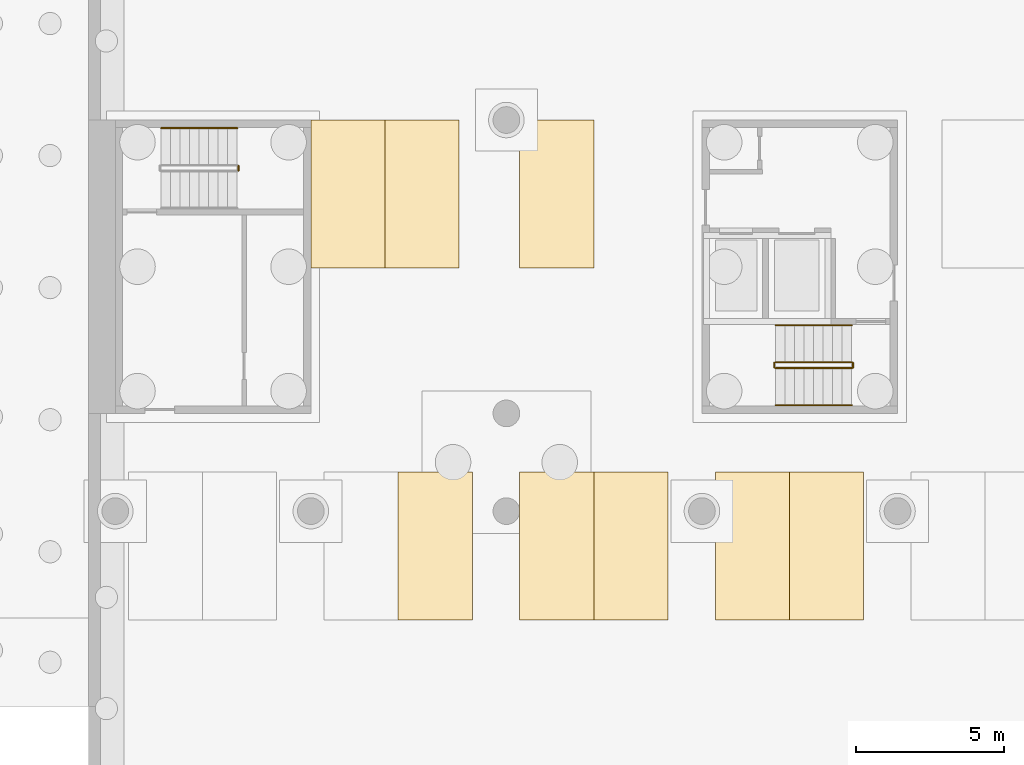
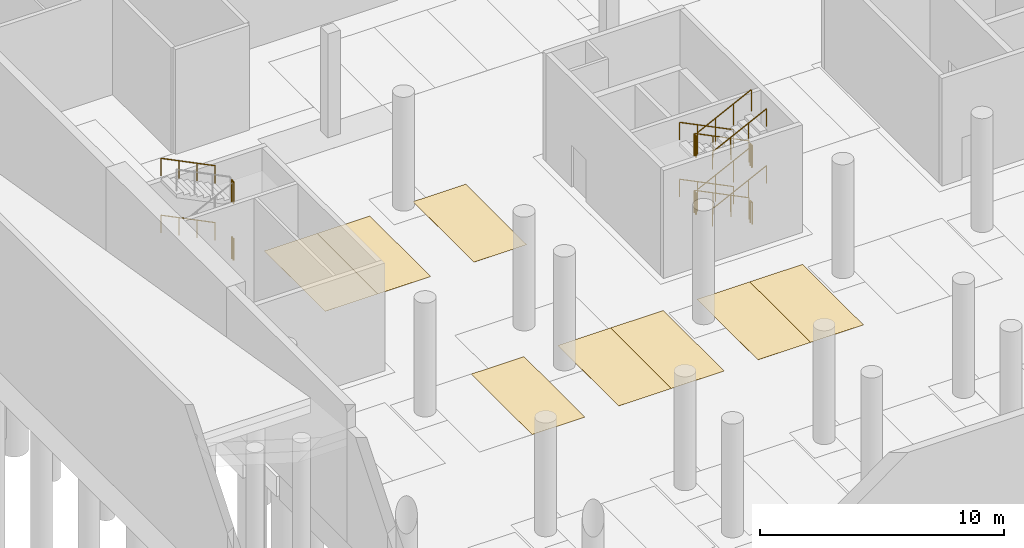
# One storey, part 23 of 38: 16 railings, 8 coverings.
"""IFC4 building model written with IfcOpenShell, lengths in metres."""

import ifcopenshell
import ifcopenshell.guid

model = None  # the IFC model being written
_history = None  # IfcOwnerHistory: only IFC2X3 demands one
_inside = {}  # id of a spatial element -> (the spatial element, [elements in it])
_under = {}  # id of a project, library or spatial element -> (it, [spatial elements below it])
_declared = {}  # id of a project -> (the project, [libraries it declares])
_typed = {}  # id of a type object -> (the type object, [elements of that type])
_made_of = {}  # id of a material, layer set ... -> (it, [elements and type objects made of it])


def new_model(schema):
    """Start an empty IFC model of exactly this schema.

    Asked for "IFC4X3", IfcOpenShell would pick the latest addendum, in which some entities
    have other attributes; the version numbers below select the first issue.
    IFC2X3 requires an IfcOwnerHistory on every rooted entity: one is made here for all.
    """
    global model, _history
    if schema == "IFC4X3":
        model = ifcopenshell.file(schema_version=(4, 3, 0, 0))
    else:
        model = ifcopenshell.file(schema=schema)
    _inside.clear()
    _under.clear()
    _declared.clear()
    _typed.clear()
    _made_of.clear()
    _history = None
    if model.schema == "IFC2X3":
        org = make("IfcOrganization", Name="unknown")
        user = make(
            "IfcPersonAndOrganization",
            ThePerson=make("IfcPerson", FamilyName="unknown"),
            TheOrganization=org,
        )
        app = make(
            "IfcApplication",
            ApplicationDeveloper=org,
            Version="unknown",
            ApplicationFullName="unknown",
            ApplicationIdentifier="unknown",
        )
        _history = make(
            "IfcOwnerHistory",
            OwningUser=user,
            OwningApplication=app,
            ChangeAction="ADDED",
            CreationDate=0,
        )
    return model


def make(cls, **values):
    """One entity of the class cls with the attributes given. An attribute that is None is left unset."""
    return model.create_entity(
        cls, **{name: value for name, value in values.items() if value is not None}
    )


def rooted(cls, **values):
    """An entity with a GlobalId (a new one), such as an element, a storey or a relation."""
    return make(cls, GlobalId=ifcopenshell.guid.new(), OwnerHistory=_history, **values)


def si_unit(unit_type, name, prefix=None):
    """IfcSIUnit, for example si_unit("LENGTHUNIT", "METRE", prefix="MILLI")."""
    return make("IfcSIUnit", UnitType=unit_type, Prefix=prefix, Name=name)


def assignment(units):
    """IfcUnitAssignment: the units of a project."""
    return None if units is None else make("IfcUnitAssignment", Units=units)


def point(xyz):
    """IfcCartesianPoint."""
    return None if xyz is None else make("IfcCartesianPoint", Coordinates=xyz)


def direction(xyz):
    """IfcDirection."""
    return None if xyz is None else make("IfcDirection", DirectionRatios=xyz)


def frame(location, z_axis=None, x_axis=None):
    """IfcAxis2Placement3D, a coordinate frame: its origin and axes. An axis left out is left unset."""
    return make(
        "IfcAxis2Placement3D",
        Location=point(location),
        Axis=direction(z_axis),
        RefDirection=direction(x_axis),
    )


def frame_2d(location, x_axis=None):
    """IfcAxis2Placement2D, a coordinate frame in the plane: its origin and x axis."""
    return make(
        "IfcAxis2Placement2D", Location=point(location), RefDirection=direction(x_axis)
    )


def origin():
    """The frame at (0, 0, 0) with its axes left unset."""
    return frame((0.0, 0.0, 0.0))


def origin_2d():
    """The frame at (0, 0) in the plane with its x axis left unset."""
    return frame_2d((0.0, 0.0))


def place(relative_to, where):
    """IfcLocalPlacement: puts the frame where relative to a parent placement (None: the world)."""
    return make(
        "IfcLocalPlacement", PlacementRelTo=relative_to, RelativePlacement=where
    )


def context(
    kind, dimensions, precision=None, world=None, true_north=None, identifier=None
):
    """IfcGeometricRepresentationContext, for example the 3D "Model" context."""
    return make(
        "IfcGeometricRepresentationContext",
        ContextIdentifier=identifier,
        ContextType=kind,
        CoordinateSpaceDimension=dimensions,
        Precision=precision,
        WorldCoordinateSystem=world,
        TrueNorth=true_north,
    )


def subcontext(parent, identifier, kind, view, scale=None):
    """IfcGeometricRepresentationSubContext, for example "Body" below "Model"."""
    return make(
        "IfcGeometricRepresentationSubContext",
        ContextIdentifier=identifier,
        ContextType=kind,
        ParentContext=parent,
        TargetScale=scale,
        TargetView=view,
    )


def project(units=None, contexts=None):
    """IfcProject with its units and contexts."""
    return rooted(
        "IfcProject",
        Name="project",
        RepresentationContexts=contexts,
        UnitsInContext=assignment(units),
    )


def spatial(cls, under=None, at=None, **own):
    """A site, building, storey or space (cls), placed at a placement, below another one or the project."""
    s = rooted(cls, ObjectPlacement=at, **own)
    if under is not None:
        _under.setdefault(under.id(), (under, []))[1].append(s)
    return s


def polyline(points):
    """IfcPolyline through the points."""
    return make("IfcPolyline", Points=[point(p) for p in points])


def profile(cls, at=None, kind="AREA", **sizes):
    """A parametric profile (cls). Its sizes go by their IFC names, for example OverallWidth=200.0."""
    return make(cls, ProfileType=kind, Position=at, **sizes)


def circle(**sizes):
    """IfcCircleProfileDef."""
    return profile("IfcCircleProfileDef", **sizes)


def outline(outer, holes=None, kind="AREA"):
    """IfcArbitraryClosedProfileDef: a profile drawn as a closed curve; with holes, ...WithVoids."""
    if holes is None:
        return make("IfcArbitraryClosedProfileDef", ProfileType=kind, OuterCurve=outer)
    return make(
        "IfcArbitraryProfileDefWithVoids",
        ProfileType=kind,
        OuterCurve=outer,
        InnerCurves=holes,
    )


def extrude(swept, where, along, depth):
    """IfcExtrudedAreaSolid: the profile swept, set in the frame where, extruded along a direction by depth."""
    return make(
        "IfcExtrudedAreaSolid",
        SweptArea=swept,
        Position=where,
        ExtrudedDirection=direction(along),
        Depth=depth,
    )


def shape(context_of_items, identifier, shape_type, items):
    """IfcShapeRepresentation: the items that make up one representation, for example the "Body"."""
    return make(
        "IfcShapeRepresentation",
        ContextOfItems=context_of_items,
        RepresentationIdentifier=identifier,
        RepresentationType=shape_type,
        Items=items,
    )


def material(Name=None, Category=None):
    """IfcMaterial."""
    return make("IfcMaterial", Name=Name, Category=Category)


def layer(
    of_material, thickness, ventilated=None, Name=None, Category=None, Priority=None
):
    """IfcMaterialLayer: one layer of a wall or slab, of a material (None: an air gap)."""
    return make(
        "IfcMaterialLayer",
        Material=of_material,
        LayerThickness=thickness,
        IsVentilated=ventilated,
        Name=Name,
        Category=Category,
        Priority=Priority,
    )


def layer_set(layers, Name=None):
    """IfcMaterialLayerSet."""
    return make("IfcMaterialLayerSet", MaterialLayers=layers, LayerSetName=Name)


def made_of(thing, what):
    """Note that an element or type object is made of a material, layer set ...; save() writes the relation."""
    if what is not None:
        _made_of.setdefault(what.id(), (what, []))[1].append(thing)
    return thing


def type_object(cls, material=None, **own):
    """A type object (cls), such as IfcWallType, which elements share."""
    return made_of(rooted(cls, **own), material)


def element(
    cls,
    number,
    at=None,
    inside=None,
    cuts=None,
    type_object=None,
    material=None,
    context=None,
    identifier="Body",
    shape_type=None,
    held_by="IfcProductDefinitionShape",
    body=None,
    shapes=None,
    **own,
):
    """One element of the class cls, such as IfcWall. Its Tag is "e" and its number.

    at: its placement. inside: the storey or other place that contains it. cuts: it is an
    opening in that element (IfcRelVoidsElement). A single representation is given by context,
    identifier, shape_type and body (its items); several are given by shapes. held_by: the class
    of the entity that holds the representations. save() writes the other relations.
    """
    e = rooted(cls, Tag="e%d" % number, ObjectPlacement=at, **own)
    if body is not None:
        shapes = [shape(context, identifier, shape_type, body)]
    if shapes is not None:
        e.Representation = make(held_by, Representations=shapes)
    if inside is not None:
        _inside.setdefault(inside.id(), (inside, []))[1].append(e)
    if cuts is not None:
        rooted(
            "IfcRelVoidsElement", RelatingBuildingElement=cuts, RelatedOpeningElement=e
        )
    if type_object is not None:
        _typed.setdefault(type_object.id(), (type_object, []))[1].append(e)
    return made_of(e, material)


def aggregate(whole, parts):
    """IfcRelAggregates: a whole, such as a stair, and the parts it consists of."""
    return rooted("IfcRelAggregates", RelatingObject=whole, RelatedObjects=parts)


def save(model, path):
    """Write the relations noted so far, then the file.

    IfcRelAggregates (storeys below a building ...), IfcRelContainedInSpatialStructure (elements
    in a storey), IfcRelDefinesByType, IfcRelAssociatesMaterial and IfcRelDeclares: one each for
    every whole, place, type object, material and project.
    """
    for whole, parts in _under.values():
        aggregate(whole, parts)
    for where, things in _inside.values():
        rooted(
            "IfcRelContainedInSpatialStructure",
            RelatedElements=things,
            RelatingStructure=where,
        )
    for kind, things in _typed.values():
        rooted("IfcRelDefinesByType", RelatedObjects=things, RelatingType=kind)
    for what, things in _made_of.values():
        rooted("IfcRelAssociatesMaterial", RelatedObjects=things, RelatingMaterial=what)
    for by, libraries in _declared.values():
        rooted("IfcRelDeclares", RelatingContext=by, RelatedDefinitions=libraries)
    model.write(path)


model = new_model("IFC4")

# Units and contexts
model_context = context("Model", 3, precision=1e-05, world=origin(), true_north=direction((0.0, 1.0)))
body_context = subcontext(model_context, "Body", "Model", "MODEL_VIEW")
ifc_project = project(units=[si_unit("LENGTHUNIT", "METRE"), si_unit("AREAUNIT", "SQUARE_METRE"), si_unit("VOLUMEUNIT", "CUBIC_METRE"), si_unit("PLANEANGLEUNIT", "RADIAN"), si_unit("MASSUNIT", "GRAM", prefix="KILO")], contexts=[model_context])

# Site, building, storey
site_placement = place(None, origin())
site = spatial("IfcSite", under=ifc_project, at=site_placement, CompositionType="ELEMENT")
building_placement = place(site_placement, origin())
building = spatial("IfcBuilding", under=site, at=building_placement, Name="Lantern Court Research Institute", CompositionType="ELEMENT")
storey_placement = place(building_placement, frame((0.0, 0.0, -5.699951171875)))
storey = spatial("IfcBuildingStorey", under=building, at=storey_placement, Name="B1", CompositionType="ELEMENT", Elevation=-5.699951171875)

# Coverings
ifc_material_1 = material(Name="Thermoplastic road marking paint")
ifc_layer_1 = layer(ifc_material_1, 0.0029296875)
ifc_layer_set_1 = layer_set([ifc_layer_1], Name="Thermoplastic road marking paint")
covering_type_1 = type_object("IfcCoveringType", Name="Electric vehicle parking bay marking", PredefinedType="FLOORING", material=ifc_layer_set_1)
covering_1_placement = place(storey_placement, origin())
element("IfcCovering", 1, at=covering_1_placement, inside=storey, type_object=covering_type_1, Name="Electric vehicle parking bay marking 02", PredefinedType="FLOORING", context=body_context, shape_type="SweptSolid", body=[
    extrude(outline(polyline([(22.75, 6.219970703125), (25.25, 6.219970703125), (25.25, 11.219970703125), (22.75, 11.219970703125), (22.75, 6.219970703125)])), origin(), (0.0, 0.0, 1.0), 0.0029296875),
])
ifc_material_2 = material(Name="Thermoplastic road marking paint")
ifc_layer_2 = layer(ifc_material_2, 0.0029296875)
ifc_layer_set_2 = layer_set([ifc_layer_2], Name="Thermoplastic road marking paint")
covering_type_2 = type_object("IfcCoveringType", Name="Parking bay marking", PredefinedType="FLOORING", material=ifc_layer_set_2)
covering_2_placement = place(storey_placement, origin())
element("IfcCovering", 2, at=covering_2_placement, inside=storey, type_object=covering_type_2, Name="Parking bay marking 025", PredefinedType="FLOORING", context=body_context, shape_type="SweptSolid", body=[
    extrude(outline(polyline([(9.550048828125, 6.219970703125), (12.050048828125, 6.219970703125), (12.050048828125, 11.219970703125), (9.550048828125, 11.219970703125), (9.550048828125, 6.219970703125)])), origin(), (0.0, 0.0, 1.0), 0.0029296875),
])
covering_3_placement = place(storey_placement, origin())
element("IfcCovering", 3, at=covering_3_placement, inside=storey, type_object=covering_type_2, Name="Parking bay marking 026", PredefinedType="FLOORING", context=body_context, shape_type="SweptSolid", body=[
    extrude(outline(polyline([(13.64990234375, 6.219970703125), (16.14990234375, 6.219970703125), (16.14990234375, 11.219970703125), (13.64990234375, 11.219970703125), (13.64990234375, 6.219970703125)])), origin(), (0.0, 0.0, 1.0), 0.0029296875),
])
covering_4_placement = place(storey_placement, origin())
element("IfcCovering", 4, at=covering_4_placement, inside=storey, type_object=covering_type_2, Name="Parking bay marking 027", PredefinedType="FLOORING", context=body_context, shape_type="SweptSolid", body=[
    extrude(outline(polyline([(16.14990234375, 6.219970703125), (18.64990234375, 6.219970703125), (18.64990234375, 11.219970703125), (16.14990234375, 11.219970703125), (16.14990234375, 6.219970703125)])), origin(), (0.0, 0.0, 1.0), 0.0029296875),
])
covering_5_placement = place(storey_placement, origin())
element("IfcCovering", 5, at=covering_5_placement, inside=storey, type_object=covering_type_2, Name="Parking bay marking 028", PredefinedType="FLOORING", context=body_context, shape_type="SweptSolid", body=[
    extrude(outline(polyline([(20.25, 6.219970703125), (22.75, 6.219970703125), (22.75, 11.219970703125), (20.25, 11.219970703125), (20.25, 6.219970703125)])), origin(), (0.0, 0.0, 1.0), 0.0029296875),
])
covering_6_placement = place(storey_placement, origin())
element("IfcCovering", 6, at=covering_6_placement, inside=storey, type_object=covering_type_2, Name="Parking bay marking 043", PredefinedType="FLOORING", context=body_context, shape_type="SweptSolid", body=[
    extrude(outline(polyline([(6.60009765625, 18.10009765625), (9.10009765625, 18.10009765625), (9.10009765625, 23.10009765625), (6.60009765625, 23.10009765625), (6.60009765625, 18.10009765625)])), origin(), (0.0, 0.0, 1.0), 0.0029296875),
])
covering_7_placement = place(storey_placement, origin())
element("IfcCovering", 7, at=covering_7_placement, inside=storey, type_object=covering_type_2, Name="Parking bay marking 044", PredefinedType="FLOORING", context=body_context, shape_type="SweptSolid", body=[
    extrude(outline(polyline([(9.10009765625, 18.10009765625), (11.60009765625, 18.10009765625), (11.60009765625, 23.10009765625), (9.10009765625, 23.10009765625), (9.10009765625, 18.10009765625)])), origin(), (0.0, 0.0, 1.0), 0.0029296875),
])
covering_8_placement = place(storey_placement, origin())
element("IfcCovering", 8, at=covering_8_placement, inside=storey, type_object=covering_type_2, Name="Parking bay marking 045", PredefinedType="FLOORING", context=body_context, shape_type="SweptSolid", body=[
    extrude(outline(polyline([(13.64990234375, 18.10009765625), (16.14990234375, 18.10009765625), (16.14990234375, 23.10009765625), (13.64990234375, 23.10009765625), (13.64990234375, 18.10009765625)])), origin(), (0.0, 0.0, 1.0), 0.0029296875),
])

# Railings
ifc_material_3 = material(Name="Structural steel S355", Category="steel")
railing_type_1 = type_object("IfcRailingType", Name="Stair guard 1100 steel", PredefinedType="GUARDRAIL", material=ifc_material_3)
for number, where, name in (
    (9, (4.159912109375, 21.39990234375, 1.425048828125), "B1 ST-B1 stair guard 2"),
    (10, (4.159912109375, 21.39990234375, 4.27490234375), "B1 ST-B1 stair guard 6"),
):
    element("IfcRailing", number, at=place(storey_placement, frame(where)), inside=storey, type_object=railing_type_1, Name=name, PredefinedType="GUARDRAIL", context=body_context, shape_type="SweptSolid", body=[
        extrude(circle(Radius=0.02392578125, at=origin_2d()), frame((0.0, 0.0, 1.076171875), z_axis=(0.0, 1.0, 0.0), x_axis=(-1.0, 0.0, 0.0)), (0.0, 0.0, 1.0), 0.150146484375),
        extrude(circle(Radius=0.02099609375, at=origin_2d()), origin(), (0.0, 0.0, 1.0), 1.052001953125),
        extrude(circle(Radius=0.02099609375, at=origin_2d()), frame((0.0, 0.150146484375, 0.0)), (0.0, 0.0, 1.0), 1.052001953125),
    ])
railing_1_placement = place(storey_placement, frame((24.85009765625, 14.925048828125, 0.158203125)))
element("IfcRailing", 11, at=railing_1_placement, inside=storey, type_object=railing_type_1, Name="B1 ST-B2 stair guard 1", PredefinedType="GUARDRAIL", context=body_context, shape_type="SweptSolid", body=[
    extrude(circle(Radius=0.02392578125, at=origin_2d()), frame((0.0, 0.0, 1.076171875), z_axis=(-0.896265777717, 0.0, 0.443517367974), x_axis=(0.0, -1.0, 0.0)), (0.0, 0.0, 1.0), 2.8564453125),
    extrude(circle(Radius=0.02099609375, at=origin_2d()), origin(), (0.0, 0.0, 1.0), 1.052001953125),
    extrude(circle(Radius=0.02099609375, at=origin_2d()), frame((-0.853271484375, 0.0, 0.42236328125)), (0.0, 0.0, 1.0), 1.052001953125),
    extrude(circle(Radius=0.02099609375, at=origin_2d()), frame((-1.706787109375, 0.0, 0.844482421875)), (0.0, 0.0, 1.0), 1.052001953125),
    extrude(circle(Radius=0.02099609375, at=origin_2d()), frame((-2.56005859375, 0.0, 1.266845703125)), (0.0, 0.0, 1.0), 1.052001953125),
])
railing_2_placement = place(storey_placement, frame((22.239990234375, 14.89990234375, 1.425048828125)))
element("IfcRailing", 12, at=railing_2_placement, inside=storey, type_object=railing_type_1, Name="B1 ST-B2 stair guard 2", PredefinedType="GUARDRAIL", context=body_context, shape_type="SweptSolid", body=[
    extrude(circle(Radius=0.02392578125, at=origin_2d()), frame((0.0, 0.0, 1.076171875), z_axis=(0.0, -1.0, 0.0), x_axis=(1.0, 0.0, 0.0)), (0.0, 0.0, 1.0), 0.14990234375),
    extrude(circle(Radius=0.02099609375, at=origin_2d()), origin(), (0.0, 0.0, 1.0), 1.052001953125),
    extrude(circle(Radius=0.02099609375, at=origin_2d()), frame((0.0, -0.14990234375, 0.0)), (0.0, 0.0, 1.0), 1.052001953125),
])
railing_3_placement = place(storey_placement, frame((22.2900390625, 14.72509765625, 1.583251953125)))
element("IfcRailing", 13, at=railing_3_placement, inside=storey, type_object=railing_type_1, Name="B1 ST-B2 stair guard 3", PredefinedType="GUARDRAIL", context=body_context, shape_type="SweptSolid", body=[
    extrude(circle(Radius=0.02392578125, at=origin_2d()), frame((0.0, 0.0, 1.076171875), z_axis=(0.896299752543, 0.0, 0.443448704577), x_axis=(0.0, 1.0, 0.0)), (0.0, 0.0, 1.0), 2.856201171875),
    extrude(circle(Radius=0.02099609375, at=origin_2d()), origin(), (0.0, 0.0, 1.0), 1.052001953125),
    extrude(circle(Radius=0.02099609375, at=origin_2d()), frame((0.853271484375, 0.0, 0.422119140625)), (0.0, 0.0, 1.0), 1.052001953125),
    extrude(circle(Radius=0.02099609375, at=origin_2d()), frame((1.706787109375, 0.0, 0.844482421875)), (0.0, 0.0, 1.0), 1.052001953125),
    extrude(circle(Radius=0.02099609375, at=origin_2d()), frame((2.56005859375, 0.0, 1.2666015625)), (0.0, 0.0, 1.0), 1.052001953125),
])
railing_4_placement = place(storey_placement, frame((24.89990234375, 14.89990234375, 2.849853515625)))
element("IfcRailing", 14, at=railing_4_placement, inside=storey, type_object=railing_type_1, Name="B1 ST-B2 stair guard 4", PredefinedType="GUARDRAIL", context=body_context, shape_type="SweptSolid", body=[
    extrude(circle(Radius=0.02392578125, at=origin_2d()), frame((0.0, 0.0, 1.076171875), z_axis=(0.0, -1.0, 0.0), x_axis=(1.0, 0.0, 0.0)), (0.0, 0.0, 1.0), 0.14990234375),
    extrude(circle(Radius=0.02099609375, at=origin_2d()), origin(), (0.0, 0.0, 1.0), 1.052001953125),
    extrude(circle(Radius=0.02099609375, at=origin_2d()), frame((0.0, -0.14990234375, 0.0)), (0.0, 0.0, 1.0), 1.052001953125),
])
railing_5_placement = place(storey_placement, frame((24.85009765625, 14.925048828125, 3.00830078125)))
element("IfcRailing", 15, at=railing_5_placement, inside=storey, type_object=railing_type_1, Name="B1 ST-B2 stair guard 5", PredefinedType="GUARDRAIL", context=body_context, shape_type="SweptSolid", body=[
    extrude(circle(Radius=0.02392578125, at=origin_2d()), frame((0.0, 0.0, 1.076171875), z_axis=(-0.896299752543, 0.0, 0.443448704577), x_axis=(0.0, -1.0, 0.0)), (0.0, 0.0, 1.0), 2.856201171875),
    extrude(circle(Radius=0.02099609375, at=origin_2d()), origin(), (0.0, 0.0, 1.0), 1.052001953125),
    extrude(circle(Radius=0.02099609375, at=origin_2d()), frame((-0.853271484375, 0.0, 0.422119140625)), (0.0, 0.0, 1.0), 1.052001953125),
    extrude(circle(Radius=0.02099609375, at=origin_2d()), frame((-1.706787109375, 0.0, 0.844482421875)), (0.0, 0.0, 1.0), 1.052001953125),
    extrude(circle(Radius=0.02099609375, at=origin_2d()), frame((-2.56005859375, 0.0, 1.2666015625)), (0.0, 0.0, 1.0), 1.052001953125),
])
railing_6_placement = place(storey_placement, frame((22.239990234375, 14.89990234375, 4.27490234375)))
element("IfcRailing", 16, at=railing_6_placement, inside=storey, type_object=railing_type_1, Name="B1 ST-B2 stair guard 6", PredefinedType="GUARDRAIL", context=body_context, shape_type="SweptSolid", body=[
    extrude(circle(Radius=0.02392578125, at=origin_2d()), frame((0.0, 0.0, 1.076171875), z_axis=(0.0, -1.0, 0.0), x_axis=(1.0, 0.0, 0.0)), (0.0, 0.0, 1.0), 0.14990234375),
    extrude(circle(Radius=0.02099609375, at=origin_2d()), origin(), (0.0, 0.0, 1.0), 1.052001953125),
    extrude(circle(Radius=0.02099609375, at=origin_2d()), frame((0.0, -0.14990234375, 0.0)), (0.0, 0.0, 1.0), 1.052001953125),
])
railing_7_placement = place(storey_placement, frame((22.2900390625, 14.72509765625, 4.433349609375)))
element("IfcRailing", 17, at=railing_7_placement, inside=storey, type_object=railing_type_1, Name="B1 ST-B2 stair guard 7", PredefinedType="GUARDRAIL", context=body_context, shape_type="SweptSolid", body=[
    extrude(circle(Radius=0.02392578125, at=origin_2d()), frame((0.0, 0.0, 1.076171875), z_axis=(0.896299752543, 0.0, 0.443448704577), x_axis=(0.0, 1.0, 0.0)), (0.0, 0.0, 1.0), 2.856201171875),
    extrude(circle(Radius=0.02099609375, at=origin_2d()), origin(), (0.0, 0.0, 1.0), 1.052001953125),
    extrude(circle(Radius=0.02099609375, at=origin_2d()), frame((0.853271484375, 0.0, 0.422119140625)), (0.0, 0.0, 1.0), 1.052001953125),
    extrude(circle(Radius=0.02099609375, at=origin_2d()), frame((1.706787109375, 0.0, 0.844482421875)), (0.0, 0.0, 1.0), 1.052001953125),
    extrude(circle(Radius=0.02099609375, at=origin_2d()), frame((2.56005859375, 0.0, 1.2666015625)), (0.0, 0.0, 1.0), 1.052001953125),
])
railing_8_placement = place(storey_placement, frame((24.89990234375, 14.89990234375, 0.0)))
element("IfcRailing", 18, at=railing_8_placement, inside=storey, type_object=railing_type_1, Name="B1 ST-B2 stair guard 8", PredefinedType="GUARDRAIL", context=body_context, shape_type="SweptSolid", body=[
    extrude(circle(Radius=0.02392578125, at=origin_2d()), frame((0.0, 0.0, 1.076171875), z_axis=(0.0, -1.0, 0.0), x_axis=(1.0, 0.0, 0.0)), (0.0, 0.0, 1.0), 0.14990234375),
    extrude(circle(Radius=0.02099609375, at=origin_2d()), origin(), (0.0, 0.0, 1.0), 1.052001953125),
    extrude(circle(Radius=0.02099609375, at=origin_2d()), frame((0.0, -0.14990234375, 0.0)), (0.0, 0.0, 1.0), 1.052001953125),
])
ifc_material_4 = material(Name="Stainless steel 316", Category="steel")
railing_type_2 = type_object("IfcRailingType", Name="Stair handrail 900 steel", PredefinedType="HANDRAIL", material=ifc_material_4)
for number, where, name in (
    (19, (4.110107421875, 22.824951171875, 1.583251953125), "B1 ST-B1 stair handrail 2"),
    (20, (4.110107421875, 22.824951171875, 4.433349609375), "B1 ST-B1 stair handrail 4"),
):
    element("IfcRailing", number, at=place(storey_placement, frame(where)), inside=storey, type_object=railing_type_2, Name=name, PredefinedType="HANDRAIL", context=body_context, shape_type="SweptSolid", body=[
        extrude(circle(Radius=0.02392578125, at=origin_2d()), frame((0.0, 0.0, 0.8759765625), z_axis=(-0.896299752543, 0.0, 0.443448704577), x_axis=(0.0, -1.0, 0.0)), (0.0, 0.0, 1.0), 2.856201171875),
        extrude(circle(Radius=0.02099609375, at=origin_2d()), origin(), (0.0, 0.0, 1.0), 0.851806640625),
        extrude(circle(Radius=0.02099609375, at=origin_2d()), frame((-0.853271484375, 0.0, 0.422119140625)), (0.0, 0.0, 1.0), 0.851806640625),
        extrude(circle(Radius=0.02099609375, at=origin_2d()), frame((-1.706787109375, 0.0, 0.844482421875)), (0.0, 0.0, 1.0), 0.851806640625),
        extrude(circle(Radius=0.02099609375, at=origin_2d()), frame((-2.56005859375, 0.0, 1.2666015625)), (0.0, 0.0, 1.0), 0.851806640625),
    ])
railing_9_placement = place(storey_placement, frame((24.85009765625, 16.175048828125, 0.158203125)))
element("IfcRailing", 21, at=railing_9_placement, inside=storey, type_object=railing_type_2, Name="B1 ST-B2 stair handrail 1", PredefinedType="HANDRAIL", context=body_context, shape_type="SweptSolid", body=[
    extrude(circle(Radius=0.02392578125, at=origin_2d()), frame((0.0, 0.0, 0.8759765625), z_axis=(-0.896265777717, 0.0, 0.443517367974), x_axis=(0.0, -1.0, 0.0)), (0.0, 0.0, 1.0), 2.8564453125),
    extrude(circle(Radius=0.02099609375, at=origin_2d()), origin(), (0.0, 0.0, 1.0), 0.851806640625),
    extrude(circle(Radius=0.02099609375, at=origin_2d()), frame((-0.853271484375, 0.0, 0.42236328125)), (0.0, 0.0, 1.0), 0.851806640625),
    extrude(circle(Radius=0.02099609375, at=origin_2d()), frame((-1.706787109375, 0.0, 0.844482421875)), (0.0, 0.0, 1.0), 0.851806640625),
    extrude(circle(Radius=0.02099609375, at=origin_2d()), frame((-2.56005859375, 0.0, 1.266845703125)), (0.0, 0.0, 1.0), 0.851806640625),
])
railing_10_placement = place(storey_placement, frame((22.2900390625, 13.47509765625, 1.583251953125)))
element("IfcRailing", 22, at=railing_10_placement, inside=storey, type_object=railing_type_2, Name="B1 ST-B2 stair handrail 2", PredefinedType="HANDRAIL", context=body_context, shape_type="SweptSolid", body=[
    extrude(circle(Radius=0.02392578125, at=origin_2d()), frame((0.0, 0.0, 0.8759765625), z_axis=(0.896299752543, 0.0, 0.443448704577), x_axis=(0.0, 1.0, 0.0)), (0.0, 0.0, 1.0), 2.856201171875),
    extrude(circle(Radius=0.02099609375, at=origin_2d()), origin(), (0.0, 0.0, 1.0), 0.851806640625),
    extrude(circle(Radius=0.02099609375, at=origin_2d()), frame((0.853271484375, 0.0, 0.422119140625)), (0.0, 0.0, 1.0), 0.851806640625),
    extrude(circle(Radius=0.02099609375, at=origin_2d()), frame((1.706787109375, 0.0, 0.844482421875)), (0.0, 0.0, 1.0), 0.851806640625),
    extrude(circle(Radius=0.02099609375, at=origin_2d()), frame((2.56005859375, 0.0, 1.2666015625)), (0.0, 0.0, 1.0), 0.851806640625),
])
railing_11_placement = place(storey_placement, frame((24.85009765625, 16.175048828125, 3.00830078125)))
element("IfcRailing", 23, at=railing_11_placement, inside=storey, type_object=railing_type_2, Name="B1 ST-B2 stair handrail 3", PredefinedType="HANDRAIL", context=body_context, shape_type="SweptSolid", body=[
    extrude(circle(Radius=0.02392578125, at=origin_2d()), frame((0.0, 0.0, 0.8759765625), z_axis=(-0.896299752543, 0.0, 0.443448704577), x_axis=(0.0, -1.0, 0.0)), (0.0, 0.0, 1.0), 2.856201171875),
    extrude(circle(Radius=0.02099609375, at=origin_2d()), origin(), (0.0, 0.0, 1.0), 0.851806640625),
    extrude(circle(Radius=0.02099609375, at=origin_2d()), frame((-0.853271484375, 0.0, 0.422119140625)), (0.0, 0.0, 1.0), 0.851806640625),
    extrude(circle(Radius=0.02099609375, at=origin_2d()), frame((-1.706787109375, 0.0, 0.844482421875)), (0.0, 0.0, 1.0), 0.851806640625),
    extrude(circle(Radius=0.02099609375, at=origin_2d()), frame((-2.56005859375, 0.0, 1.2666015625)), (0.0, 0.0, 1.0), 0.851806640625),
])
railing_12_placement = place(storey_placement, frame((22.2900390625, 13.47509765625, 4.433349609375)))
element("IfcRailing", 24, at=railing_12_placement, inside=storey, type_object=railing_type_2, Name="B1 ST-B2 stair handrail 4", PredefinedType="HANDRAIL", context=body_context, shape_type="SweptSolid", body=[
    extrude(circle(Radius=0.02392578125, at=origin_2d()), frame((0.0, 0.0, 0.8759765625), z_axis=(0.896299752543, 0.0, 0.443448704577), x_axis=(0.0, 1.0, 0.0)), (0.0, 0.0, 1.0), 2.856201171875),
    extrude(circle(Radius=0.02099609375, at=origin_2d()), origin(), (0.0, 0.0, 1.0), 0.851806640625),
    extrude(circle(Radius=0.02099609375, at=origin_2d()), frame((0.853271484375, 0.0, 0.422119140625)), (0.0, 0.0, 1.0), 0.851806640625),
    extrude(circle(Radius=0.02099609375, at=origin_2d()), frame((1.706787109375, 0.0, 0.844482421875)), (0.0, 0.0, 1.0), 0.851806640625),
    extrude(circle(Radius=0.02099609375, at=origin_2d()), frame((2.56005859375, 0.0, 1.2666015625)), (0.0, 0.0, 1.0), 0.851806640625),
])

save(model, "model.ifc")
